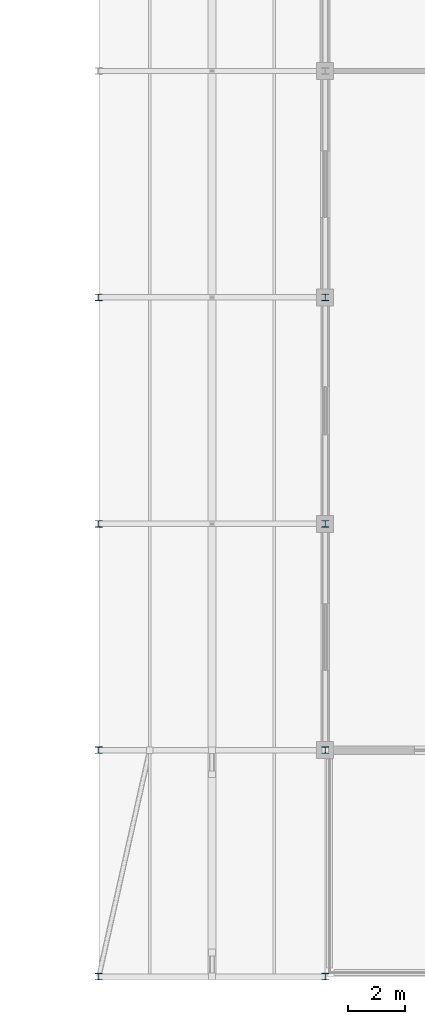
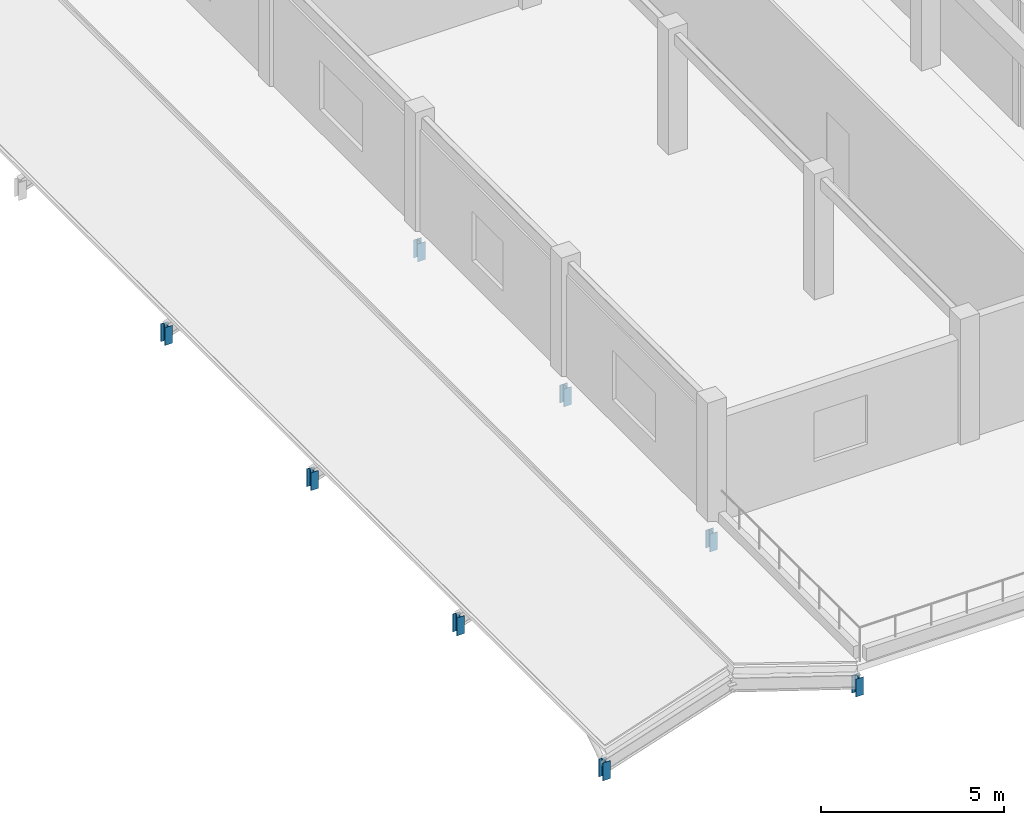
# One storey, part 9 of 27: 8 members.
"""IFC4 building model written with IfcOpenShell, lengths in metres."""

import ifcopenshell
import ifcopenshell.guid

model = None  # the IFC model being written
_history = None  # IfcOwnerHistory: only IFC2X3 demands one
_inside = {}  # id of a spatial element -> (the spatial element, [elements in it])
_under = {}  # id of a project, library or spatial element -> (it, [spatial elements below it])
_declared = {}  # id of a project -> (the project, [libraries it declares])
_typed = {}  # id of a type object -> (the type object, [elements of that type])
_made_of = {}  # id of a material, layer set ... -> (it, [elements and type objects made of it])


def new_model(schema):
    """Start an empty IFC model of exactly this schema.

    Asked for "IFC4X3", IfcOpenShell would pick the latest addendum, in which some entities
    have other attributes; the version numbers below select the first issue.
    IFC2X3 requires an IfcOwnerHistory on every rooted entity: one is made here for all.
    """
    global model, _history
    if schema == "IFC4X3":
        model = ifcopenshell.file(schema_version=(4, 3, 0, 0))
    else:
        model = ifcopenshell.file(schema=schema)
    _inside.clear()
    _under.clear()
    _declared.clear()
    _typed.clear()
    _made_of.clear()
    _history = None
    if model.schema == "IFC2X3":
        org = make("IfcOrganization", Name="unknown")
        user = make(
            "IfcPersonAndOrganization",
            ThePerson=make("IfcPerson", FamilyName="unknown"),
            TheOrganization=org,
        )
        app = make(
            "IfcApplication",
            ApplicationDeveloper=org,
            Version="unknown",
            ApplicationFullName="unknown",
            ApplicationIdentifier="unknown",
        )
        _history = make(
            "IfcOwnerHistory",
            OwningUser=user,
            OwningApplication=app,
            ChangeAction="ADDED",
            CreationDate=0,
        )
    return model


def make(cls, **values):
    """One entity of the class cls with the attributes given. An attribute that is None is left unset."""
    return model.create_entity(
        cls, **{name: value for name, value in values.items() if value is not None}
    )


def rooted(cls, **values):
    """An entity with a GlobalId (a new one), such as an element, a storey or a relation."""
    return make(cls, GlobalId=ifcopenshell.guid.new(), OwnerHistory=_history, **values)


def si_unit(unit_type, name, prefix=None):
    """IfcSIUnit, for example si_unit("LENGTHUNIT", "METRE", prefix="MILLI")."""
    return make("IfcSIUnit", UnitType=unit_type, Prefix=prefix, Name=name)


def assignment(units):
    """IfcUnitAssignment: the units of a project."""
    return None if units is None else make("IfcUnitAssignment", Units=units)


def point(xyz):
    """IfcCartesianPoint."""
    return None if xyz is None else make("IfcCartesianPoint", Coordinates=xyz)


def direction(xyz):
    """IfcDirection."""
    return None if xyz is None else make("IfcDirection", DirectionRatios=xyz)


def frame(location, z_axis=None, x_axis=None):
    """IfcAxis2Placement3D, a coordinate frame: its origin and axes. An axis left out is left unset."""
    return make(
        "IfcAxis2Placement3D",
        Location=point(location),
        Axis=direction(z_axis),
        RefDirection=direction(x_axis),
    )


def frame_2d(location, x_axis=None):
    """IfcAxis2Placement2D, a coordinate frame in the plane: its origin and x axis."""
    return make(
        "IfcAxis2Placement2D", Location=point(location), RefDirection=direction(x_axis)
    )


def origin():
    """The frame at (0, 0, 0) with its axes left unset."""
    return frame((0.0, 0.0, 0.0))


def origin_2d():
    """The frame at (0, 0) in the plane with its x axis left unset."""
    return frame_2d((0.0, 0.0))


def place(relative_to, where):
    """IfcLocalPlacement: puts the frame where relative to a parent placement (None: the world)."""
    return make(
        "IfcLocalPlacement", PlacementRelTo=relative_to, RelativePlacement=where
    )


def context(
    kind, dimensions, precision=None, world=None, true_north=None, identifier=None
):
    """IfcGeometricRepresentationContext, for example the 3D "Model" context."""
    return make(
        "IfcGeometricRepresentationContext",
        ContextIdentifier=identifier,
        ContextType=kind,
        CoordinateSpaceDimension=dimensions,
        Precision=precision,
        WorldCoordinateSystem=world,
        TrueNorth=true_north,
    )


def subcontext(parent, identifier, kind, view, scale=None):
    """IfcGeometricRepresentationSubContext, for example "Body" below "Model"."""
    return make(
        "IfcGeometricRepresentationSubContext",
        ContextIdentifier=identifier,
        ContextType=kind,
        ParentContext=parent,
        TargetScale=scale,
        TargetView=view,
    )


def project(units=None, contexts=None):
    """IfcProject with its units and contexts."""
    return rooted(
        "IfcProject",
        Name="project",
        RepresentationContexts=contexts,
        UnitsInContext=assignment(units),
    )


def spatial(cls, under=None, at=None, **own):
    """A site, building, storey or space (cls), placed at a placement, below another one or the project."""
    s = rooted(cls, ObjectPlacement=at, **own)
    if under is not None:
        _under.setdefault(under.id(), (under, []))[1].append(s)
    return s


def profile(cls, at=None, kind="AREA", **sizes):
    """A parametric profile (cls). Its sizes go by their IFC names, for example OverallWidth=200.0."""
    return make(cls, ProfileType=kind, Position=at, **sizes)


def i_section(**sizes):
    """IfcIShapeProfileDef."""
    return profile("IfcIShapeProfileDef", **sizes)


def extrude(swept, where, along, depth):
    """IfcExtrudedAreaSolid: the profile swept, set in the frame where, extruded along a direction by depth."""
    return make(
        "IfcExtrudedAreaSolid",
        SweptArea=swept,
        Position=where,
        ExtrudedDirection=direction(along),
        Depth=depth,
    )


def shape(context_of_items, identifier, shape_type, items):
    """IfcShapeRepresentation: the items that make up one representation, for example the "Body"."""
    return make(
        "IfcShapeRepresentation",
        ContextOfItems=context_of_items,
        RepresentationIdentifier=identifier,
        RepresentationType=shape_type,
        Items=items,
    )


def material(Name=None, Category=None):
    """IfcMaterial."""
    return make("IfcMaterial", Name=Name, Category=Category)


def material_profile(
    of_material, cross_section, Name=None, Category=None, Priority=None
):
    """IfcMaterialProfile: a cross section and its material."""
    return make(
        "IfcMaterialProfile",
        Name=Name,
        Material=of_material,
        Profile=cross_section,
        Priority=Priority,
        Category=Category,
    )


def profile_set(profiles, Name=None, composite=None):
    """IfcMaterialProfileSet."""
    return make(
        "IfcMaterialProfileSet",
        Name=Name,
        MaterialProfiles=profiles,
        CompositeProfile=composite,
    )


def made_of(thing, what):
    """Note that an element or type object is made of a material, layer set ...; save() writes the relation."""
    if what is not None:
        _made_of.setdefault(what.id(), (what, []))[1].append(thing)
    return thing


def type_object(cls, material=None, **own):
    """A type object (cls), such as IfcWallType, which elements share."""
    return made_of(rooted(cls, **own), material)


def element(
    cls,
    number,
    at=None,
    inside=None,
    cuts=None,
    type_object=None,
    material=None,
    context=None,
    identifier="Body",
    shape_type=None,
    held_by="IfcProductDefinitionShape",
    body=None,
    shapes=None,
    **own,
):
    """One element of the class cls, such as IfcWall. Its Tag is "e" and its number.

    at: its placement. inside: the storey or other place that contains it. cuts: it is an
    opening in that element (IfcRelVoidsElement). A single representation is given by context,
    identifier, shape_type and body (its items); several are given by shapes. held_by: the class
    of the entity that holds the representations. save() writes the other relations.
    """
    e = rooted(cls, Tag="e%d" % number, ObjectPlacement=at, **own)
    if body is not None:
        shapes = [shape(context, identifier, shape_type, body)]
    if shapes is not None:
        e.Representation = make(held_by, Representations=shapes)
    if inside is not None:
        _inside.setdefault(inside.id(), (inside, []))[1].append(e)
    if cuts is not None:
        rooted(
            "IfcRelVoidsElement", RelatingBuildingElement=cuts, RelatedOpeningElement=e
        )
    if type_object is not None:
        _typed.setdefault(type_object.id(), (type_object, []))[1].append(e)
    return made_of(e, material)


def aggregate(whole, parts):
    """IfcRelAggregates: a whole, such as a stair, and the parts it consists of."""
    return rooted("IfcRelAggregates", RelatingObject=whole, RelatedObjects=parts)


def save(model, path):
    """Write the relations noted so far, then the file.

    IfcRelAggregates (storeys below a building ...), IfcRelContainedInSpatialStructure (elements
    in a storey), IfcRelDefinesByType, IfcRelAssociatesMaterial and IfcRelDeclares: one each for
    every whole, place, type object, material and project.
    """
    for whole, parts in _under.values():
        aggregate(whole, parts)
    for where, things in _inside.values():
        rooted(
            "IfcRelContainedInSpatialStructure",
            RelatedElements=things,
            RelatingStructure=where,
        )
    for kind, things in _typed.values():
        rooted("IfcRelDefinesByType", RelatedObjects=things, RelatingType=kind)
    for what, things in _made_of.values():
        rooted("IfcRelAssociatesMaterial", RelatedObjects=things, RelatingMaterial=what)
    for by, libraries in _declared.values():
        rooted("IfcRelDeclares", RelatingContext=by, RelatedDefinitions=libraries)
    model.write(path)


model = new_model("IFC4")

# Units and contexts
model_context = context("Model", 3, precision=1e-05, world=origin(), true_north=direction((0.0, 1.0)))
body_context = subcontext(model_context, "Body", "Model", "MODEL_VIEW")
ifc_project = project(units=[si_unit("LENGTHUNIT", "METRE"), si_unit("AREAUNIT", "SQUARE_METRE"), si_unit("VOLUMEUNIT", "CUBIC_METRE"), si_unit("PLANEANGLEUNIT", "RADIAN"), si_unit("MASSUNIT", "GRAM", prefix="KILO")], contexts=[model_context])

# Site, building, storey
site_placement = place(None, origin())
site = spatial("IfcSite", under=ifc_project, at=site_placement, CompositionType="ELEMENT")
building_placement = place(site_placement, origin())
building = spatial("IfcBuilding", under=site, at=building_placement, Name="Kenh Van Central Station", CompositionType="ELEMENT")
storey_placement = place(building_placement, frame((0.0, 0.0, 19.199951171875)))
storey = spatial("IfcBuildingStorey", under=building, at=storey_placement, Name="L04", CompositionType="ELEMENT", Elevation=19.199951171875)

# Members
ifc_material = material(Name="Steel S355", Category="steel")
ifc_material_profile = material_profile(ifc_material, i_section(OverallWidth=0.239990234375, OverallDepth=0.22998046875, WebThickness=0.007568359375, FlangeThickness=0.011962890625, FilletRadius=0.02099609375, at=origin_2d()), Name="HEA 240")
ifc_profile_set = profile_set([ifc_material_profile], Name="Steel S355")
member_type = type_object("IfcMemberType", Name="MEM-ROOF-POST240", PredefinedType="POST", material=ifc_profile_set)
for number, where, z_axis, x_axis, name in (
    (1, (128.0, 8.0, -0.949951171875), (0.0, 0.0, 1.0), (1.0, 0.0, 0.0), "L04 roof eave post 168"),
    (2, (136.0, 8.0, -0.949951171875), (0.0, 0.0, 1.0), (1.0, 0.0, 0.0), "L04 roof eave post 168"),
    (3, (128.0, 16.0, -0.949951171875), (0.0, 0.0, 1.0), (1.0, 0.0, 0.0), "L04 roof eave post 170"),
    (4, (136.0, 16.0, -0.949951171875), (0.0, 0.0, 1.0), (1.0, 0.0, 0.0), "L04 roof eave post 170"),
    (5, (128.0, 24.0, -0.949951171875), (0.0, 0.0, 1.0), (1.0, 0.0, 0.0), "L04 roof eave post 172"),
    (6, (136.0, 24.0, -0.949951171875), (0.0, 0.0, 1.0), (1.0, 0.0, 0.0), "L04 roof eave post 172"),
    (7, (128.0, 32.0, -0.949951171875), (0.0, 0.0, 1.0), (1.0, 0.0, 0.0), "L04 roof eave post 174"),
    (8, (136.0, 32.0, -0.949951171875), (0.0, 0.0, 1.0), (1.0, 0.0, 0.0), "L04 roof eave post 174"),
):
    element("IfcMember", number, at=place(storey_placement, frame(where, z_axis=z_axis, x_axis=x_axis)), inside=storey, type_object=member_type, Name=name, PredefinedType="POST", context=body_context, shape_type="SweptSolid", body=[
        extrude(i_section(OverallWidth=0.239990234375, OverallDepth=0.22998046875, WebThickness=0.007568359375, FlangeThickness=0.011962890625, FilletRadius=0.02099609375, at=origin_2d()), origin(), (0.0, 0.0, 1.0), 0.5966796875),
    ])

save(model, "model.ifc")
